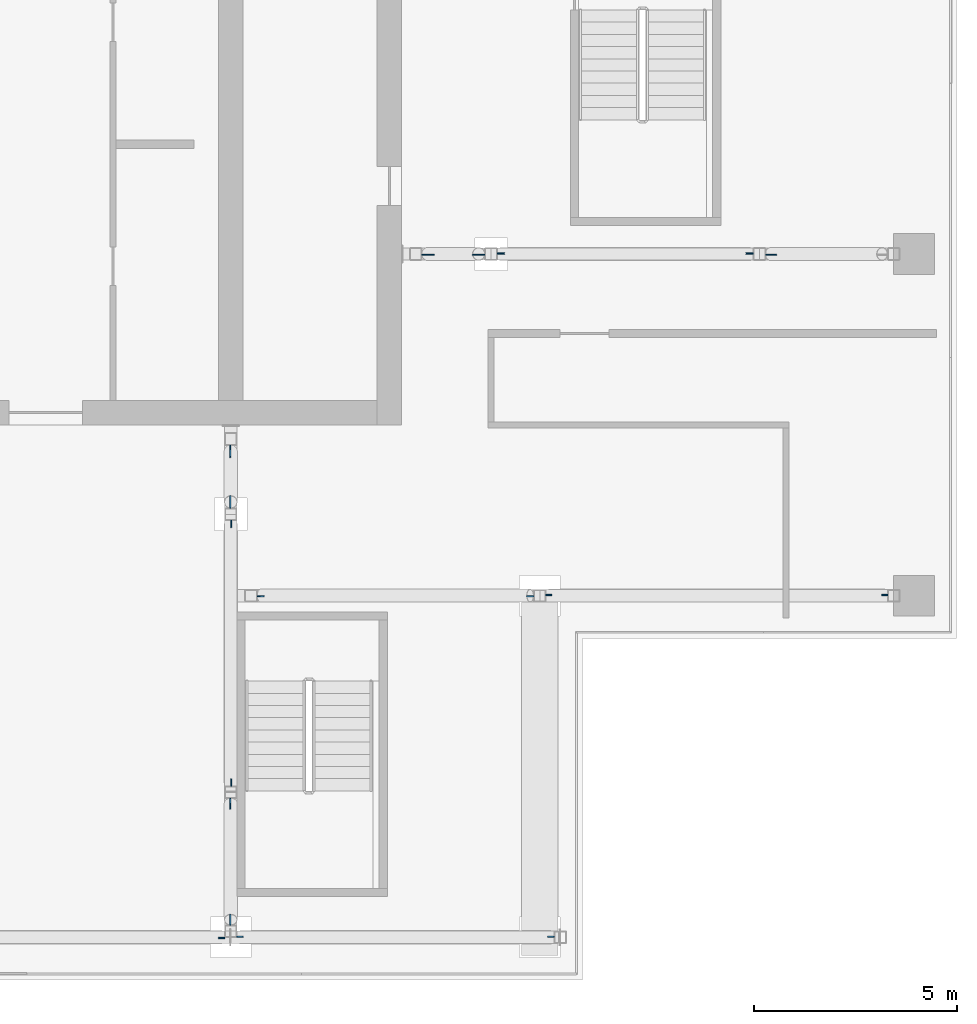
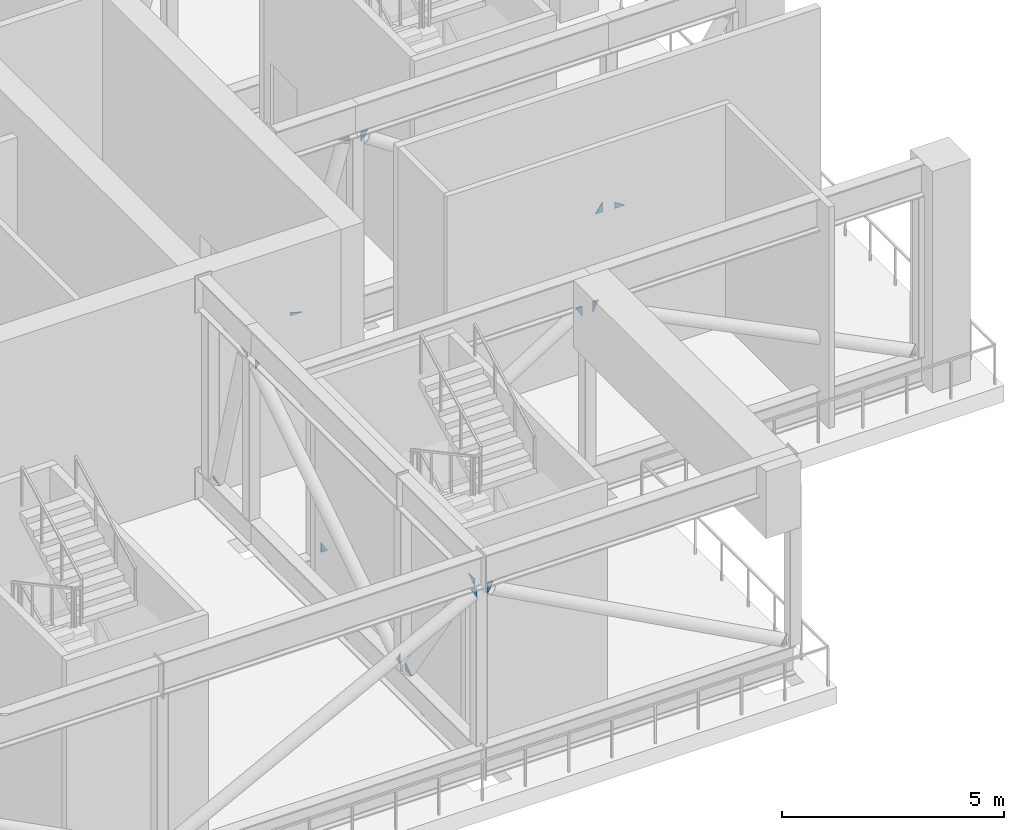
# One storey, part 13 of 24: 18 plates.
"""IFC4 building model written with IfcOpenShell, lengths in metres."""

import ifcopenshell
import ifcopenshell.guid

model = None  # the IFC model being written
_history = None  # IfcOwnerHistory: only IFC2X3 demands one
_inside = {}  # id of a spatial element -> (the spatial element, [elements in it])
_under = {}  # id of a project, library or spatial element -> (it, [spatial elements below it])
_declared = {}  # id of a project -> (the project, [libraries it declares])
_typed = {}  # id of a type object -> (the type object, [elements of that type])
_made_of = {}  # id of a material, layer set ... -> (it, [elements and type objects made of it])


def new_model(schema):
    """Start an empty IFC model of exactly this schema.

    Asked for "IFC4X3", IfcOpenShell would pick the latest addendum, in which some entities
    have other attributes; the version numbers below select the first issue.
    IFC2X3 requires an IfcOwnerHistory on every rooted entity: one is made here for all.
    """
    global model, _history
    if schema == "IFC4X3":
        model = ifcopenshell.file(schema_version=(4, 3, 0, 0))
    else:
        model = ifcopenshell.file(schema=schema)
    _inside.clear()
    _under.clear()
    _declared.clear()
    _typed.clear()
    _made_of.clear()
    _history = None
    if model.schema == "IFC2X3":
        org = make("IfcOrganization", Name="unknown")
        user = make(
            "IfcPersonAndOrganization",
            ThePerson=make("IfcPerson", FamilyName="unknown"),
            TheOrganization=org,
        )
        app = make(
            "IfcApplication",
            ApplicationDeveloper=org,
            Version="unknown",
            ApplicationFullName="unknown",
            ApplicationIdentifier="unknown",
        )
        _history = make(
            "IfcOwnerHistory",
            OwningUser=user,
            OwningApplication=app,
            ChangeAction="ADDED",
            CreationDate=0,
        )
    return model


def make(cls, **values):
    """One entity of the class cls with the attributes given. An attribute that is None is left unset."""
    return model.create_entity(
        cls, **{name: value for name, value in values.items() if value is not None}
    )


def rooted(cls, **values):
    """An entity with a GlobalId (a new one), such as an element, a storey or a relation."""
    return make(cls, GlobalId=ifcopenshell.guid.new(), OwnerHistory=_history, **values)


def si_unit(unit_type, name, prefix=None):
    """IfcSIUnit, for example si_unit("LENGTHUNIT", "METRE", prefix="MILLI")."""
    return make("IfcSIUnit", UnitType=unit_type, Prefix=prefix, Name=name)


def assignment(units):
    """IfcUnitAssignment: the units of a project."""
    return None if units is None else make("IfcUnitAssignment", Units=units)


def point(xyz):
    """IfcCartesianPoint."""
    return None if xyz is None else make("IfcCartesianPoint", Coordinates=xyz)


def direction(xyz):
    """IfcDirection."""
    return None if xyz is None else make("IfcDirection", DirectionRatios=xyz)


def frame(location, z_axis=None, x_axis=None):
    """IfcAxis2Placement3D, a coordinate frame: its origin and axes. An axis left out is left unset."""
    return make(
        "IfcAxis2Placement3D",
        Location=point(location),
        Axis=direction(z_axis),
        RefDirection=direction(x_axis),
    )


def origin():
    """The frame at (0, 0, 0) with its axes left unset."""
    return frame((0.0, 0.0, 0.0))


def place(relative_to, where):
    """IfcLocalPlacement: puts the frame where relative to a parent placement (None: the world)."""
    return make(
        "IfcLocalPlacement", PlacementRelTo=relative_to, RelativePlacement=where
    )


def context(
    kind, dimensions, precision=None, world=None, true_north=None, identifier=None
):
    """IfcGeometricRepresentationContext, for example the 3D "Model" context."""
    return make(
        "IfcGeometricRepresentationContext",
        ContextIdentifier=identifier,
        ContextType=kind,
        CoordinateSpaceDimension=dimensions,
        Precision=precision,
        WorldCoordinateSystem=world,
        TrueNorth=true_north,
    )


def subcontext(parent, identifier, kind, view, scale=None):
    """IfcGeometricRepresentationSubContext, for example "Body" below "Model"."""
    return make(
        "IfcGeometricRepresentationSubContext",
        ContextIdentifier=identifier,
        ContextType=kind,
        ParentContext=parent,
        TargetScale=scale,
        TargetView=view,
    )


def project(units=None, contexts=None):
    """IfcProject with its units and contexts."""
    return rooted(
        "IfcProject",
        Name="project",
        RepresentationContexts=contexts,
        UnitsInContext=assignment(units),
    )


def spatial(cls, under=None, at=None, **own):
    """A site, building, storey or space (cls), placed at a placement, below another one or the project."""
    s = rooted(cls, ObjectPlacement=at, **own)
    if under is not None:
        _under.setdefault(under.id(), (under, []))[1].append(s)
    return s


def polyline(points):
    """IfcPolyline through the points."""
    return make("IfcPolyline", Points=[point(p) for p in points])


def outline(outer, holes=None, kind="AREA"):
    """IfcArbitraryClosedProfileDef: a profile drawn as a closed curve; with holes, ...WithVoids."""
    if holes is None:
        return make("IfcArbitraryClosedProfileDef", ProfileType=kind, OuterCurve=outer)
    return make(
        "IfcArbitraryProfileDefWithVoids",
        ProfileType=kind,
        OuterCurve=outer,
        InnerCurves=holes,
    )


def extrude(swept, where, along, depth):
    """IfcExtrudedAreaSolid: the profile swept, set in the frame where, extruded along a direction by depth."""
    return make(
        "IfcExtrudedAreaSolid",
        SweptArea=swept,
        Position=where,
        ExtrudedDirection=direction(along),
        Depth=depth,
    )


def shape(context_of_items, identifier, shape_type, items):
    """IfcShapeRepresentation: the items that make up one representation, for example the "Body"."""
    return make(
        "IfcShapeRepresentation",
        ContextOfItems=context_of_items,
        RepresentationIdentifier=identifier,
        RepresentationType=shape_type,
        Items=items,
    )


def material(Name=None, Category=None):
    """IfcMaterial."""
    return make("IfcMaterial", Name=Name, Category=Category)


def layer(
    of_material, thickness, ventilated=None, Name=None, Category=None, Priority=None
):
    """IfcMaterialLayer: one layer of a wall or slab, of a material (None: an air gap)."""
    return make(
        "IfcMaterialLayer",
        Material=of_material,
        LayerThickness=thickness,
        IsVentilated=ventilated,
        Name=Name,
        Category=Category,
        Priority=Priority,
    )


def layer_set(layers, Name=None):
    """IfcMaterialLayerSet."""
    return make("IfcMaterialLayerSet", MaterialLayers=layers, LayerSetName=Name)


def made_of(thing, what):
    """Note that an element or type object is made of a material, layer set ...; save() writes the relation."""
    if what is not None:
        _made_of.setdefault(what.id(), (what, []))[1].append(thing)
    return thing


def type_object(cls, material=None, **own):
    """A type object (cls), such as IfcWallType, which elements share."""
    return made_of(rooted(cls, **own), material)


def element(
    cls,
    number,
    at=None,
    inside=None,
    cuts=None,
    type_object=None,
    material=None,
    context=None,
    identifier="Body",
    shape_type=None,
    held_by="IfcProductDefinitionShape",
    body=None,
    shapes=None,
    **own,
):
    """One element of the class cls, such as IfcWall. Its Tag is "e" and its number.

    at: its placement. inside: the storey or other place that contains it. cuts: it is an
    opening in that element (IfcRelVoidsElement). A single representation is given by context,
    identifier, shape_type and body (its items); several are given by shapes. held_by: the class
    of the entity that holds the representations. save() writes the other relations.
    """
    e = rooted(cls, Tag="e%d" % number, ObjectPlacement=at, **own)
    if body is not None:
        shapes = [shape(context, identifier, shape_type, body)]
    if shapes is not None:
        e.Representation = make(held_by, Representations=shapes)
    if inside is not None:
        _inside.setdefault(inside.id(), (inside, []))[1].append(e)
    if cuts is not None:
        rooted(
            "IfcRelVoidsElement", RelatingBuildingElement=cuts, RelatedOpeningElement=e
        )
    if type_object is not None:
        _typed.setdefault(type_object.id(), (type_object, []))[1].append(e)
    return made_of(e, material)


def aggregate(whole, parts):
    """IfcRelAggregates: a whole, such as a stair, and the parts it consists of."""
    return rooted("IfcRelAggregates", RelatingObject=whole, RelatedObjects=parts)


def save(model, path):
    """Write the relations noted so far, then the file.

    IfcRelAggregates (storeys below a building ...), IfcRelContainedInSpatialStructure (elements
    in a storey), IfcRelDefinesByType, IfcRelAssociatesMaterial and IfcRelDeclares: one each for
    every whole, place, type object, material and project.
    """
    for whole, parts in _under.values():
        aggregate(whole, parts)
    for where, things in _inside.values():
        rooted(
            "IfcRelContainedInSpatialStructure",
            RelatedElements=things,
            RelatingStructure=where,
        )
    for kind, things in _typed.values():
        rooted("IfcRelDefinesByType", RelatedObjects=things, RelatingType=kind)
    for what, things in _made_of.values():
        rooted("IfcRelAssociatesMaterial", RelatedObjects=things, RelatingMaterial=what)
    for by, libraries in _declared.values():
        rooted("IfcRelDeclares", RelatingContext=by, RelatedDefinitions=libraries)
    model.write(path)


model = new_model("IFC4")

# Units and contexts
model_context = context("Model", 3, precision=1e-05, world=origin(), true_north=direction((0.0, 1.0)))
body_context = subcontext(model_context, "Body", "Model", "MODEL_VIEW")
ifc_project = project(units=[si_unit("LENGTHUNIT", "METRE"), si_unit("AREAUNIT", "SQUARE_METRE"), si_unit("VOLUMEUNIT", "CUBIC_METRE"), si_unit("PLANEANGLEUNIT", "RADIAN"), si_unit("MASSUNIT", "GRAM", prefix="KILO")], contexts=[model_context])

# Site, building, storey
site_placement = place(None, origin())
site = spatial("IfcSite", under=ifc_project, at=site_placement, CompositionType="ELEMENT")
building_placement = place(site_placement, origin())
building = spatial("IfcBuilding", under=site, at=building_placement, Name="Vermilion Ogive Tower", CompositionType="ELEMENT")
storey_placement = place(building_placement, frame((0.0, 0.0, 216.949951171875)))
storey = spatial("IfcBuildingStorey", under=building, at=storey_placement, Name="L57", CompositionType="ELEMENT", Elevation=216.949951171875)

# Plates
ifc_material = material(Name="Steel S355", Category="steel")
ifc_layer = layer(ifc_material, 0.030029296875)
ifc_layer_set = layer_set([ifc_layer], Name="Truss gusset plate 30")
plate_type = type_object("IfcPlateType", Name="Truss gusset plate 30", PredefinedType="USERDEFINED", material=ifc_layer_set)
plate_1_placement = place(storey_placement, frame((9.050048828125, -12.60009765625, 1.072998046875), z_axis=(0.0, 1.0, 0.0), x_axis=(0.535555164897, 0.0, -0.844500245916)))
element("IfcPlate", 1, at=plate_1_placement, inside=storey, type_object=plate_type, Name="Gusset plate L57-TR-EWE-12.6-D0A", ObjectType="GUSSET PLATE", PredefinedType="USERDEFINED", context=body_context, shape_type="SweptSolid", body=[
    extrude(outline(polyline([(0.0, 0.0), (0.32320798018702057, 0.0), (0.23050568235699517, 0.14617936385609087), (0.0, 0.0)])), origin(), (0.0, 0.0, -1.0), 0.030029296875),
])
plate_2_placement = place(storey_placement, frame((15.85009765625, -12.60009765625, 4.92724609375), z_axis=(0.0, 1.0, 0.0), x_axis=(-0.536435426577, 0.0, 0.843941368291)))
element("IfcPlate", 2, at=plate_2_placement, inside=storey, type_object=plate_type, Name="Gusset plate L57-TR-EWE-12.6-D0B", ObjectType="GUSSET PLATE", PredefinedType="USERDEFINED", context=body_context, shape_type="SweptSolid", body=[
    extrude(outline(polyline([(0.0, 0.0), (0.3231327297975814, 2.7755575615628914e-17), (0.23014709677273607, 0.14628866491373557), (0.0, 0.0)])), origin(), (0.0, 0.0, -1.0), 0.030029296875),
])
for number, where, z_axis, x_axis, name in (
    (3, (16.14990234375, -12.60009765625, 4.912109375), (0.0, -1.0, 0.0), (0.454751659869, 0.0, 0.890618284029), "Gusset plate L57-TR-EWE-12.6-D1A"),
    (4, (24.550048828125, -12.60009765625, 1.087890625), (0.0, -1.0, 0.0), (-0.454751659869, 0.0, -0.890618284029), "Gusset plate L57-TR-EWE-12.6-D1B"),
):
    element("IfcPlate", number, at=place(storey_placement, frame(where, z_axis=z_axis, x_axis=x_axis)), inside=storey, type_object=plate_type, Name=name, ObjectType="GUSSET PLATE", PredefinedType="USERDEFINED", context=body_context, shape_type="SweptSolid", body=[
        extrude(outline(polyline([(0.0, 0.0), (0.32319322658961996, 0.0), (0.2563571672045981, 0.13089653490853947), (0.0, 0.0)])), origin(), (0.0, 0.0, -1.0), 0.030029296875),
    ])
for number, where, z_axis, x_axis, name in (
    (5, (13.10009765625, -4.199951171875, 0.8984375), (0.0, 1.0, 0.0), (0.952468022783, 0.0, -0.30463858189), "Gusset plate L57-TR-EWE-4.2-D0A"),
    (6, (14.64990234375, -4.199951171875, 5.1015625), (0.0, 1.0, 0.0), (-0.952468022783, 0.0, 0.30463858189), "Gusset plate L57-TR-EWE-4.2-D0B"),
):
    element("IfcPlate", number, at=place(storey_placement, frame(where, z_axis=z_axis, x_axis=x_axis)), inside=storey, type_object=plate_type, Name=name, ObjectType="GUSSET PLATE", PredefinedType="USERDEFINED", context=body_context, shape_type="SweptSolid", body=[
        extrude(outline(polyline([(0.0, 0.0), (0.32296851982621555, -1.3877787807814457e-17), (0.02997298547404947, 0.09371206376501819), (0.0, 0.0)])), origin(), (0.0, 0.0, -1.0), 0.030029296875),
    ])
plate_3_placement = place(storey_placement, frame((14.949951171875, -4.199951171875, 4.93359375), z_axis=(0.0, -1.0, 0.0), x_axis=(0.566496766054, 0.0, 0.824063962354)))
element("IfcPlate", 7, at=plate_3_placement, inside=storey, type_object=plate_type, Name="Gusset plate L57-TR-EWE-4.2-D1A", ObjectType="GUSSET PLATE", PredefinedType="USERDEFINED", context=body_context, shape_type="SweptSolid", body=[
    extrude(outline(polyline([(0.0, 0.0), (0.32322420836635046, 0.0), (0.2194955524726181, 0.1508906181067494), (0.0, 0.0)])), origin(), (0.0, 0.0, -1.0), 0.030029296875),
])
plate_4_placement = place(storey_placement, frame((21.25, -4.199951171875, 1.06640625), z_axis=(0.0, -1.0, 0.0), x_axis=(-0.565983506848, 0.0, -0.82441656338)))
element("IfcPlate", 8, at=plate_4_placement, inside=storey, type_object=plate_type, Name="Gusset plate L57-TR-EWE-4.2-D1B", ObjectType="GUSSET PLATE", PredefinedType="USERDEFINED", context=body_context, shape_type="SweptSolid", body=[
    extrude(outline(polyline([(0.0, 0.0), (0.3230859661321359, 0.0), (0.21958947037297524, 0.15075390770793626), (0.0, 0.0)])), origin(), (0.0, 0.0, -1.0), 0.030029296875),
])
plate_5_placement = place(storey_placement, frame((21.550048828125, -4.199951171875, 0.978759765625), z_axis=(0.0, 1.0, 0.0), x_axis=(0.833210628215, 0.0, -0.552955738761)))
element("IfcPlate", 9, at=plate_5_placement, inside=storey, type_object=plate_type, Name="Gusset plate L57-TR-EWE-4.2-D2A", ObjectType="GUSSET PLATE", PredefinedType="USERDEFINED", context=body_context, shape_type="SweptSolid", body=[
    extrude(outline(polyline([(0.0, 0.0), (0.3231921200426646, 0.0), (0.09881923847002465, 0.1489038525033295), (0.0, 0.0)])), origin(), (0.0, 0.0, -1.0), 0.030029296875),
])
plate_6_placement = place(storey_placement, frame((8.39990234375, -8.89990234375, 0.8984375), z_axis=(1.0, 0.0, 0.0), x_axis=(0.0, -0.952538100641, -0.304419392988)))
element("IfcPlate", 10, at=plate_6_placement, inside=storey, type_object=plate_type, Name="Gusset plate L57-TR-NS+8.4-D0A", ObjectType="GUSSET PLATE", PredefinedType="USERDEFINED", context=body_context, shape_type="SweptSolid", body=[
    extrude(outline(polyline([(0.0, 0.0), (0.3232010645220949, 0.0), (0.029951419769116028, 0.09371895863239531), (0.0, 0.0)])), origin(), (0.0, 0.0, -1.0), 0.030029296875),
])
plate_7_placement = place(storey_placement, frame((8.39990234375, -10.449951171875, 5.1015625), z_axis=(1.0, 0.0, 0.0), x_axis=(0.0, 0.952468022783, 0.30463858189)))
element("IfcPlate", 11, at=plate_7_placement, inside=storey, type_object=plate_type, Name="Gusset plate L57-TR-NS+8.4-D0B", ObjectType="GUSSET PLATE", PredefinedType="USERDEFINED", context=body_context, shape_type="SweptSolid", body=[
    extrude(outline(polyline([(0.0, 0.0), (0.32296851982621555, -1.3877787807814457e-17), (0.02997298547404947, 0.09371206376501819), (0.0, 0.0)])), origin(), (0.0, 0.0, -1.0), 0.030029296875),
])
for number, where, z_axis, x_axis, name in (
    (12, (8.39990234375, -10.75, 4.930419921875), (-1.0, 0.0, 0.0), (0.0, -0.551557775955, 0.834136691307), "Gusset plate L57-TR-NS+8.4-D1A"),
    (13, (8.39990234375, -17.283203125, 1.069580078125), (-1.0, 0.0, 0.0), (0.0, 0.551557775955, -0.834136691307), "Gusset plate L57-TR-NS+8.4-D1B"),
):
    element("IfcPlate", number, at=place(storey_placement, frame(where, z_axis=z_axis, x_axis=x_axis)), inside=storey, type_object=plate_type, Name=name, ObjectType="GUSSET PLATE", PredefinedType="USERDEFINED", context=body_context, shape_type="SweptSolid", body=[
        extrude(outline(polyline([(0.0, 0.0), (0.3231259969847183, 0.0), (0.22482590507874928, 0.14866205680025996), (0.0, 0.0)])), origin(), (0.0, 0.0, -1.0), 0.030029296875),
    ])
plate_8_placement = place(storey_placement, frame((8.39990234375, -17.583251953125, 0.98388671875), z_axis=(1.0, 0.0, 0.0), x_axis=(0.0, -0.82251834483, -0.568738580034)))
element("IfcPlate", 14, at=plate_8_placement, inside=storey, type_object=plate_type, Name="Gusset plate L57-TR-NS+8.4-D2A", ObjectType="GUSSET PLATE", PredefinedType="USERDEFINED", context=body_context, shape_type="SweptSolid", body=[
    extrude(outline(polyline([(0.0, 0.0), (0.3232379463586005, 0.0), (0.1045557008704533, 0.15121003751384282), (0.0, 0.0)])), origin(), (0.0, 0.0, -1.0), 0.030029296875),
])
plate_9_placement = place(storey_placement, frame((8.39990234375, -20.699951171875, 5.01611328125), z_axis=(1.0, 0.0, 0.0), x_axis=(0.0, 0.822273805958, 0.569092073425)))
element("IfcPlate", 15, at=plate_9_placement, inside=storey, type_object=plate_type, Name="Gusset plate L57-TR-NS+8.4-D2B", ObjectType="GUSSET PLATE", PredefinedType="USERDEFINED", context=body_context, shape_type="SweptSolid", body=[
    extrude(outline(polyline([(0.0, 0.0), (0.32303716605748245, 0.0), (0.10462068634986607, 0.15116508200352494), (0.0, 0.0)])), origin(), (0.0, 0.0, -1.0), 0.030029296875),
])
plate_10_placement = place(storey_placement, frame((8.25, -21.0, 4.91455078125), z_axis=(0.0, 1.0, 0.0), x_axis=(-0.468547314483, 0.0, 0.883438404243)))
element("IfcPlate", 16, at=plate_10_placement, inside=storey, type_object=plate_type, Name="Gusset plate L57-TR-BELT-D2B", ObjectType="GUSSET PLATE", PredefinedType="USERDEFINED", context=body_context, shape_type="SweptSolid", body=[
    extrude(outline(polyline([(0.0, 0.0), (0.32305635486794365, 0.0), (0.25213366566399364, 0.13372358657970576), (0.0, 0.0)])), origin(), (0.0, 0.0, -1.0), 0.030029296875),
])
plate_11_placement = place(storey_placement, frame((8.550048828125, -21.0, 4.9169921875), z_axis=(0.0, -1.0, 0.0), x_axis=(0.482237890406, 0.0, 0.876040305612)))
element("IfcPlate", 17, at=plate_11_placement, inside=storey, type_object=plate_type, Name="Gusset plate L57-TR-BELT-D3A", ObjectType="GUSSET PLATE", PredefinedType="USERDEFINED", context=body_context, shape_type="SweptSolid", body=[
    extrude(outline(polyline([(0.0, 0.0), (0.32299767780354954, 0.0), (0.24788347514754677, 0.13645354369640625), (0.0, 0.0)])), origin(), (0.0, 0.0, -1.0), 0.030029296875),
])
plate_12_placement = place(storey_placement, frame((16.35009765625, -21.0, 1.083251953125), z_axis=(0.0, -1.0, 0.0), x_axis=(-0.482498362921, 0.0, -0.875896871657)))
element("IfcPlate", 18, at=plate_12_placement, inside=storey, type_object=plate_type, Name="Gusset plate L57-TR-BELT-D3B", ObjectType="GUSSET PLATE", PredefinedType="USERDEFINED", context=body_context, shape_type="SweptSolid", body=[
    extrude(outline(polyline([(0.0, 0.0), (0.3233293029855134, 0.0), (0.24805673123094302, 0.1366450441867005), (0.0, 0.0)])), origin(), (0.0, 0.0, -1.0), 0.030029296875),
])

save(model, "model.ifc")
